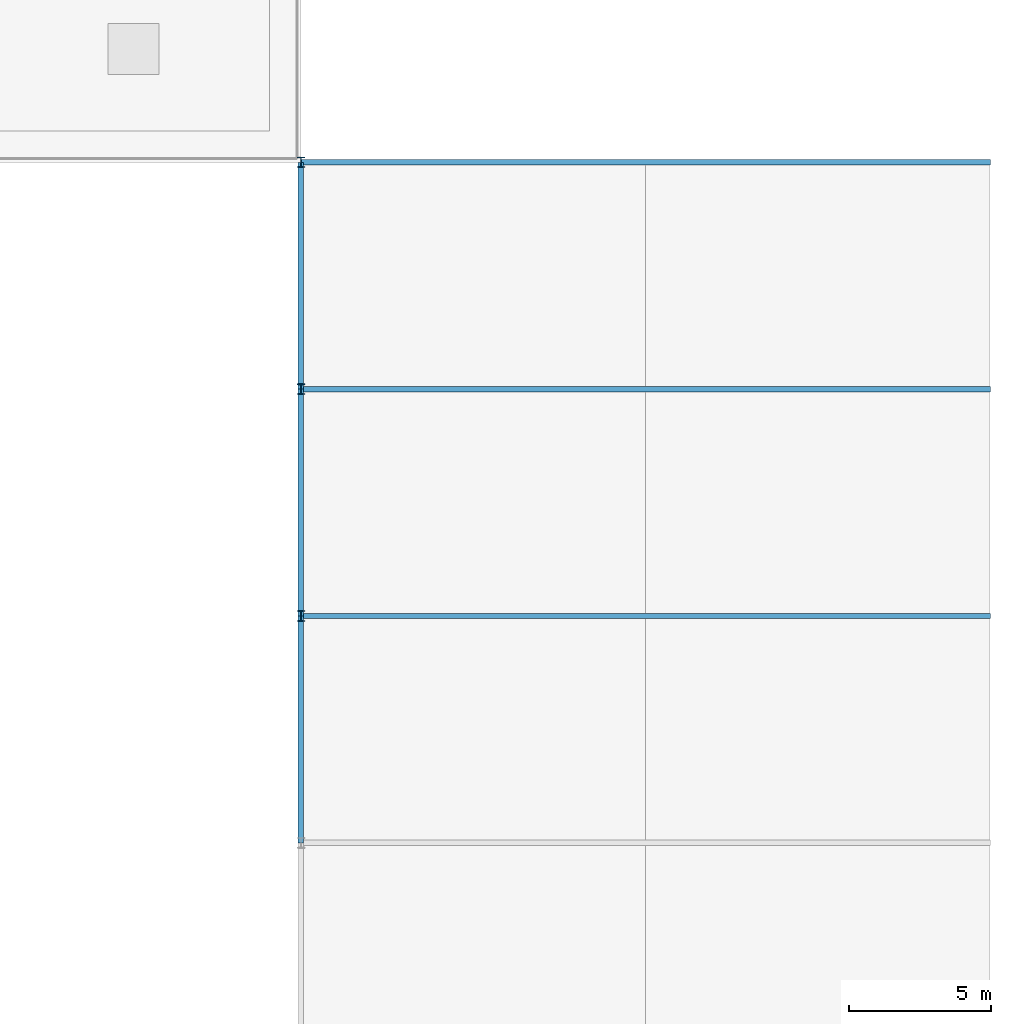
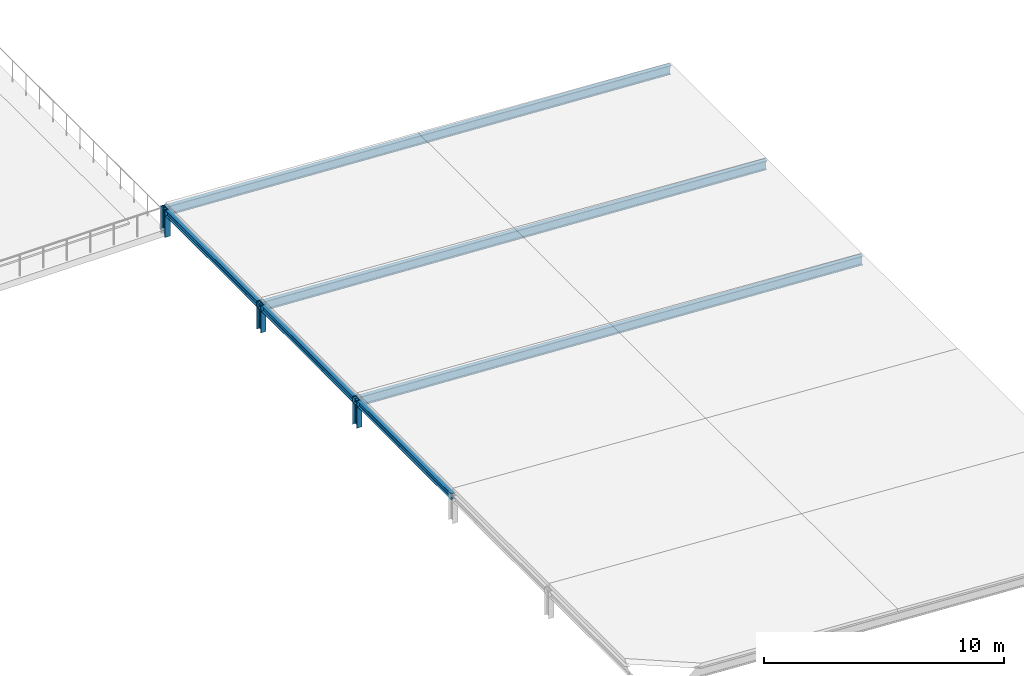
# One storey, part 14 of 36: 6 members, 3 beams.
"""IFC4 building model written with IfcOpenShell, lengths in metres."""

from ifc_helpers import new_model, si_unit, direction, frame, origin, origin_2d, place, context, subcontext, project, spatial, i_section, extrude, material, material_profile, profile_set, type_object, element, save


model = new_model("IFC4")

# Units and contexts
model_context = context("Model", 3, precision=1e-05, world=origin(), true_north=direction((0.0, 1.0)))
body_context = subcontext(model_context, "Body", "Model", "MODEL_VIEW")
ifc_project = project(units=[si_unit("LENGTHUNIT", "METRE"), si_unit("AREAUNIT", "SQUARE_METRE"), si_unit("VOLUMEUNIT", "CUBIC_METRE"), si_unit("PLANEANGLEUNIT", "RADIAN"), si_unit("MASSUNIT", "GRAM", prefix="KILO")], contexts=[model_context])

# Site, building, storey
site_placement = place(None, origin())
site = spatial("IfcSite", under=ifc_project, at=site_placement, CompositionType="ELEMENT")
building_placement = place(site_placement, origin())
building = spatial("IfcBuilding", under=site, at=building_placement, Name="Tarnveldt Square Police Headquarters", CompositionType="ELEMENT")
storey_placement = place(building_placement, frame((0.0, 0.0, 24.89990234375)))
storey = spatial("IfcBuildingStorey", under=building, at=storey_placement, Name="L05", CompositionType="ELEMENT", Elevation=24.89990234375)

# Beams
ifc_material = material(Name="Steel 350W", Category="steel")
ifc_material_profile_1 = material_profile(ifc_material, i_section(OverallWidth=0.202880859375, OverallDepth=0.302978515625, WebThickness=0.007568359375, FlangeThickness=0.01318359375, FilletRadius=0.014892578125, at=origin_2d()), Name="W310x60")
ifc_profile_set_1 = profile_set([ifc_material_profile_1], Name="Steel 350W")
beam_type = type_object("IfcBeamType", Name="BM-W310x60", PredefinedType="JOIST", material=ifc_profile_set_1)
for number, where, z_axis, x_axis, name in (
    (1, (105.300048828125, 72.0, 0.97998046875), (0.0, 1.0, 0.0), (-1.0, 0.0, 0.0), "Tactical Wing High-Eave Header 3"),
    (2, (105.300048828125, 80.0, 0.97998046875), (0.0, 1.0, 0.0), (-1.0, 0.0, 0.0), "Tactical Wing High-Eave Header 4"),
    (3, (105.300048828125, 88.0, 0.97998046875), (0.0, 1.0, 0.0), (-1.0, 0.0, 0.0), "Tactical Wing High-Eave Header 5"),
):
    element("IfcBeam", number, at=place(storey_placement, frame(where, z_axis=z_axis, x_axis=x_axis)), inside=storey, type_object=beam_type, Name=name, PredefinedType="JOIST", context=body_context, shape_type="SweptSolid", body=[
        extrude(i_section(OverallWidth=0.202880859375, OverallDepth=0.302978515625, WebThickness=0.007568359375, FlangeThickness=0.01318359375, FilletRadius=0.014892578125, at=origin_2d()), origin(), (0.0, 0.0, 1.0), 8.0),
    ])

# Members
ifc_material_profile_2 = material_profile(ifc_material, i_section(OverallWidth=0.257080078125, OverallDepth=0.363037109375, WebThickness=0.012939453125, FlangeThickness=0.021728515625, FilletRadius=0.01611328125, at=origin_2d()), Name="W360x122")
ifc_profile_set_2 = profile_set([ifc_material_profile_2], Name="Steel 350W")
member_type_1 = type_object("IfcMemberType", Name="MEM-CT-POST", PredefinedType="STRUT", material=ifc_profile_set_2)
for number, where, z_axis, x_axis, name in (
    (4, (105.300048828125, 80.0, -0.260009765625), (0.0, 0.0, 1.0), (1.0, 0.0, 0.0), "Tactical Wing Roof Post 4"),
    (5, (105.300048828125, 88.0, -0.260009765625), (0.0, 0.0, 1.0), (1.0, 0.0, 0.0), "Tactical Wing Roof Post 5"),
    (6, (105.300048828125, 96.0, -0.260009765625), (0.0, 0.0, 1.0), (1.0, 0.0, 0.0), "Tactical Wing Roof Post End"),
):
    element("IfcMember", number, at=place(storey_placement, frame(where, z_axis=z_axis, x_axis=x_axis)), inside=storey, type_object=member_type_1, Name=name, PredefinedType="STRUT", context=body_context, shape_type="SweptSolid", body=[
        extrude(i_section(OverallWidth=0.257080078125, OverallDepth=0.363037109375, WebThickness=0.012939453125, FlangeThickness=0.021728515625, FilletRadius=0.01611328125, at=origin_2d()), origin(), (0.0, 0.0, 1.0), 1.41015625),
    ])
ifc_material_profile_3 = material_profile(ifc_material, i_section(OverallWidth=0.19189453125, OverallDepth=0.462890625, WebThickness=0.010498046875, FlangeThickness=0.017578125, FilletRadius=0.01806640625, at=origin_2d()), Name="W460x89")
ifc_profile_set_3 = profile_set([ifc_material_profile_3], Name="Steel 350W")
member_type_2 = type_object("IfcMemberType", Name="MEM-GAB-RAF2", PredefinedType="RAFTER", material=ifc_profile_set_3)
for number, where, z_axis, x_axis, name in (
    (7, (105.300048828125, 80.0, 0.97998046875), (0.998572483324, 0.0, -0.053413439776), (0.0, 1.0, 0.0), "Tactical Block Roof Rafter 80"),
    (8, (105.300048828125, 88.0, 0.97998046875), (0.998572483324, 0.0, -0.053413439776), (0.0, 1.0, 0.0), "Tactical Block Roof Rafter 88"),
    (9, (105.300048828125, 96.0, 0.97998046875), (0.998572483324, 0.0, -0.053413439776), (0.0, 1.0, 0.0), "Tactical Block Roof Rafter 96"),
):
    element("IfcMember", number, at=place(storey_placement, frame(where, z_axis=z_axis, x_axis=x_axis)), inside=storey, type_object=member_type_2, Name=name, PredefinedType="RAFTER", context=body_context, shape_type="SweptSolid", body=[
        extrude(i_section(OverallWidth=0.19189453125, OverallDepth=0.462890625, WebThickness=0.010498046875, FlangeThickness=0.017578125, FilletRadius=0.01806640625, at=origin_2d()), origin(), (0.0, 0.0, 1.0), 24.334716796875),
    ])

save(model, "model.ifc")
